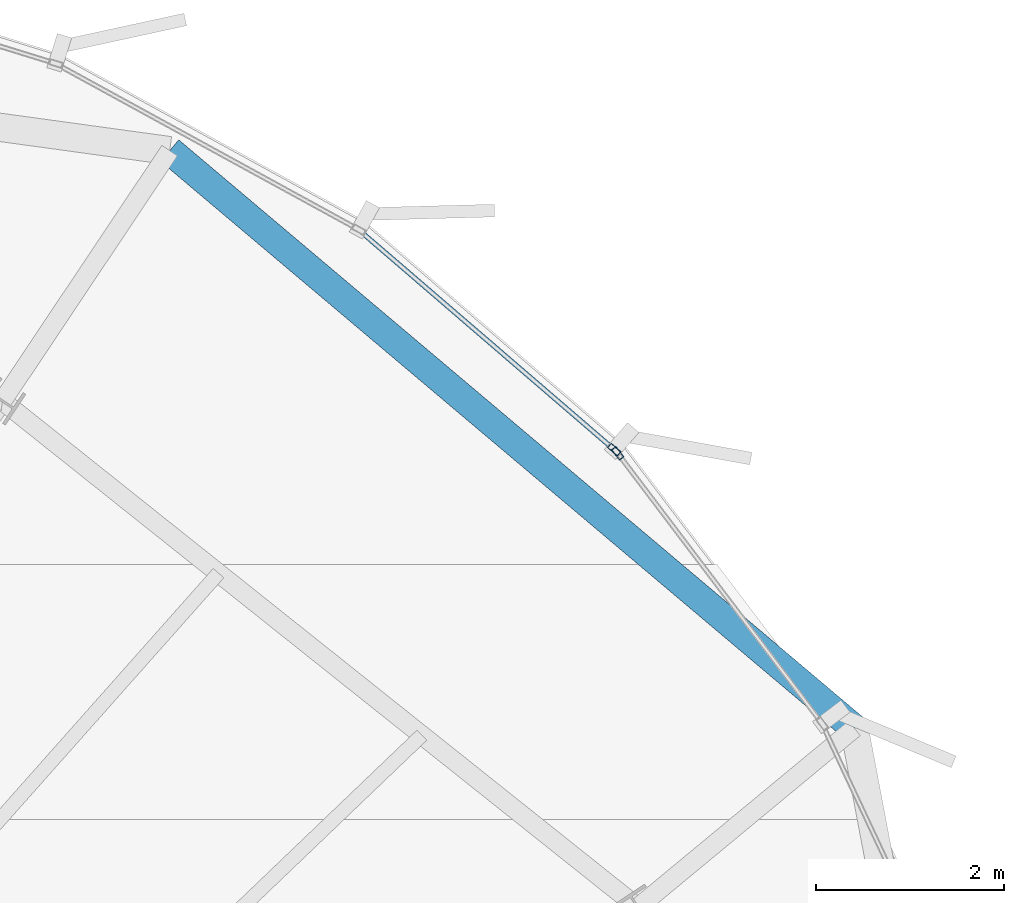
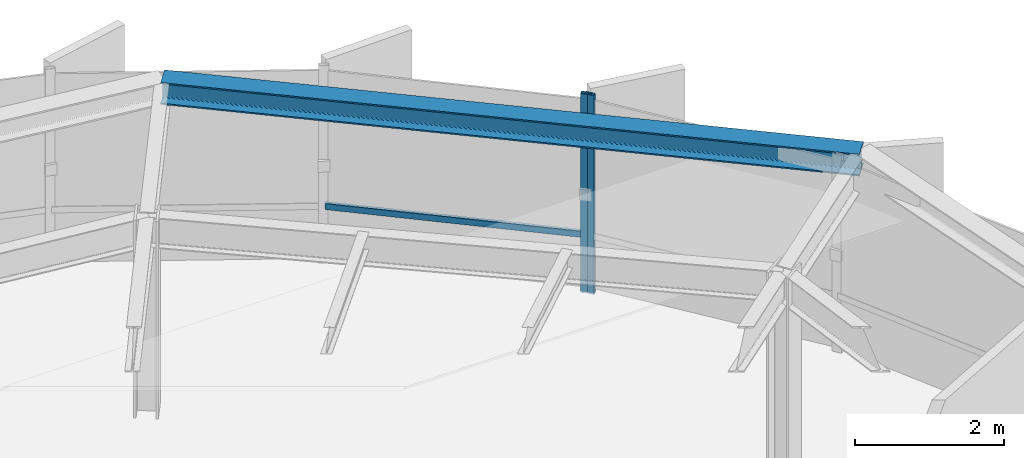
# One storey, part 27 of 34: 3 members, 1 beam, 2 elements without a shape of their own.
"""IFC4 building model written with IfcOpenShell, lengths in metres."""

from ifc_helpers import new_model, si_unit, direction, frame, origin, origin_2d, place, context, subcontext, project, spatial, hollow_rectangle, i_section, extrude, source, transform, mapped, material, layer, layer_set, material_profile, profile_set, type_object, element, aggregate, save


model = new_model("IFC4")

# Units and contexts
model_context = context("Model", 3, precision=1e-05, world=origin(), true_north=direction((0.0, 1.0)))
body_context = subcontext(model_context, "Body", "Model", "MODEL_VIEW")
ifc_project = project(units=[si_unit("LENGTHUNIT", "METRE"), si_unit("AREAUNIT", "SQUARE_METRE"), si_unit("VOLUMEUNIT", "CUBIC_METRE"), si_unit("PLANEANGLEUNIT", "RADIAN"), si_unit("MASSUNIT", "GRAM", prefix="KILO"), si_unit("THERMODYNAMICTEMPERATUREUNIT", "KELVIN")], contexts=[model_context])

# Site, building, storey
site_placement = place(None, origin())
site = spatial("IfcSite", under=ifc_project, at=site_placement, CompositionType="ELEMENT")
building_placement = place(site_placement, origin())
building = spatial("IfcBuilding", under=site, at=building_placement, Name="Kethvar Cultural Tower", CompositionType="ELEMENT")
storey_placement = place(building_placement, frame((0.0, 0.0, 207.89990234375)))
storey = spatial("IfcBuildingStorey", under=building, at=storey_placement, Name="L54", CompositionType="ELEMENT", Elevation=207.89990234375)

# Beam
ifc_material_1 = material(Name="Steel S355J2", Category="steel")
ifc_material_profile_1 = material_profile(ifc_material_1, i_section(OverallWidth=0.300048828125, OverallDepth=0.360107421875, WebThickness=0.012451171875, FlangeThickness=0.0224609375, FilletRadius=0.027099609375, at=origin_2d()), Name="Steel S355J2 — HEB360")
ifc_profile_set_1 = profile_set([ifc_material_profile_1], Name="Steel S355J2 — HEB360")
beam_type = type_object("IfcBeamType", Name="BM-SP360", PredefinedType="SPANDREL", material=ifc_profile_set_1)
shared_shape_1 = source(origin(), body_context, "Body", "SweptSolid", [
    extrude(i_section(OverallWidth=0.300048828125, OverallDepth=0.360107421875, WebThickness=0.012451171875, FlangeThickness=0.0224609375, FilletRadius=0.027099609375, at=origin_2d()), origin(), (0.0, 0.0, 1.0), 9.522705078125),
])
beam_placement = place(storey_placement, frame((67.803955078125, 42.201416015625, 3.078125), z_axis=(-0.764291878387, 0.644870471204, 0.0), x_axis=(-0.644870471204, -0.764291878387, 0.0)))
element("IfcBeam", 1, at=beam_placement, inside=storey, type_object=beam_type, Name="L54 Perimeter Spandrel Beam SP-02", PredefinedType="SPANDREL", context=body_context, shape_type="MappedRepresentation", body=[
    mapped(shared_shape_1, transform((0.0, 0.0, 0.0), scale=1.0)),
])

# Curtain wall, member
ifc_material_2 = material(Name="Aluminium 6063-T6", Category="aluminium")
ifc_layer = layer(ifc_material_2, 0.179931640625, Name="Aluminium 6063-T6", Category="aluminium")
ifc_layer_set = layer_set([ifc_layer], Name="Aluminium 6063-T6 (180 mm)")
curtain_wall_type = type_object("IfcCurtainWallType", Name="CW-SYS-04-Z34", PredefinedType="NOTDEFINED", material=ifc_layer_set)
curtain_wall_1_placement = place(storey_placement, origin())
curtain_wall_1 = element("IfcCurtainWall", 2, at=curtain_wall_1_placement, inside=storey, type_object=curtain_wall_type, Name="L54 Curtain Wall Run 01", PredefinedType="NOTDEFINED")
ifc_material_profile_2 = material_profile(ifc_material_2, hollow_rectangle(XDim=0.06005859375, YDim=0.139892578125, WallThickness=0.0048828125, at=origin_2d()), Name="Aluminium 6063-T6 — RHS140x60x5")
ifc_profile_set_2 = profile_set([ifc_material_profile_2], Name="Aluminium 6063-T6 — RHS140x60x5")
member_type_1 = type_object("IfcMemberType", Name="CW-SYS-04-Z34-MUL", PredefinedType="MULLION", material=ifc_profile_set_2)
shared_shape_2 = source(origin(), body_context, "Body", "SweptSolid", [
    extrude(hollow_rectangle(XDim=0.06005859375, YDim=0.139892578125, WallThickness=0.0048828125, at=origin_2d()), origin(), (0.0, 0.0, 1.0), 3.260009765625),
])
member_1_placement = place(storey_placement, frame((65.251220703125, 45.164306640625, 0.0), z_axis=(0.0, 0.0, 1.0), x_axis=(-0.652204252996, -0.758043278694, 0.0)))
member_1 = element("IfcMember", 3, at=member_1_placement, type_object=member_type_1, Name="CW-L54-R01 Mullion 1", PredefinedType="MULLION", context=body_context, shape_type="MappedRepresentation", body=[
    mapped(shared_shape_2, transform((0.0, 0.0, 0.0), scale=1.0)),
])

curtain_wall_2_placement = place(storey_placement, origin())
curtain_wall_2 = element("IfcCurtainWall", 4, at=curtain_wall_2_placement, inside=storey, type_object=curtain_wall_type, Name="L54 Curtain Wall Run 06", PredefinedType="NOTDEFINED")
member_2_placement = place(storey_placement, frame((65.288330078125, 45.12451171875, 0.0), z_axis=(0.0, 0.0, 1.0), x_axis=(-0.797499697327, -0.60331934559, 0.0)))
member_2 = element("IfcMember", 5, at=member_2_placement, type_object=member_type_1, Name="CW-L54-R06 Mullion 7", PredefinedType="MULLION", context=body_context, shape_type="MappedRepresentation", body=[
    mapped(shared_shape_2, transform((0.0, 0.0, 0.0), scale=1.0)),
])
aggregate(curtain_wall_2, [member_2])

# Member
ifc_material_profile_3 = material_profile(ifc_material_2, hollow_rectangle(XDim=0.050048828125, YDim=0.10009765625, WallThickness=0.00390625, at=origin_2d()), Name="Aluminium 6063-T6 — RHS100x50x4")
ifc_profile_set_3 = profile_set([ifc_material_profile_3], Name="Aluminium 6063-T6 — RHS100x50x4")
member_type_2 = type_object("IfcMemberType", Name="CW-SYS-04-Z34-TRN", PredefinedType="USERDEFINED", material=ifc_profile_set_3)
shared_shape_3 = source(origin(), body_context, "Body", "SweptSolid", [
    extrude(hollow_rectangle(XDim=0.050048828125, YDim=0.10009765625, WallThickness=0.00390625, at=origin_2d()), origin(), (0.0, 0.0, 1.0), 3.556884765625),
])
member_3_placement = place(storey_placement, frame((65.248046875, 45.1669921875, 0.9501953125), z_axis=(-0.758044018947, 0.652203392615, 0.0), x_axis=(-0.652203392615, -0.758044018947, 0.0)))
member_3 = element("IfcMember", 6, at=member_3_placement, type_object=member_type_2, Name="CW-L54-R01 Transom 1", ObjectType="TRANSOM", PredefinedType="USERDEFINED", context=body_context, shape_type="MappedRepresentation", body=[
    mapped(shared_shape_3, transform((0.0, 0.0, 0.0), scale=1.0)),
])

aggregate(curtain_wall_1, [member_1, member_3])

save(model, "model.ifc")
